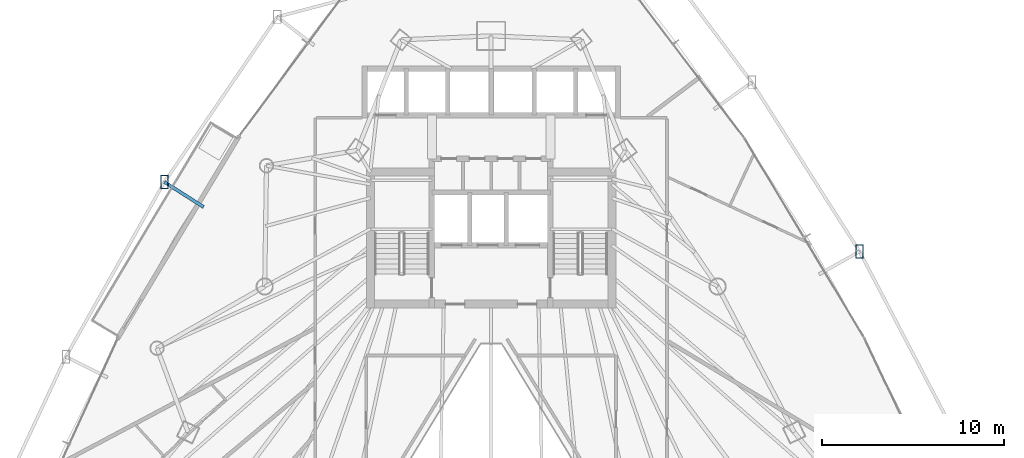
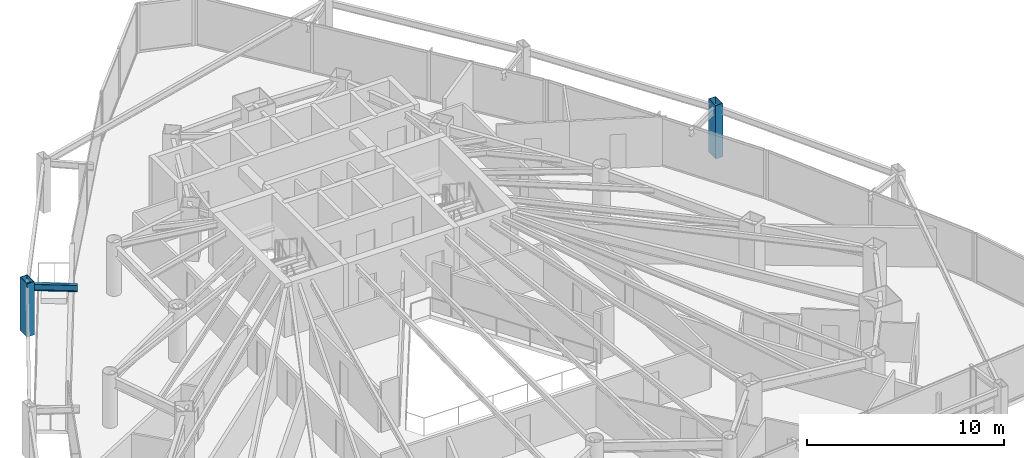
# One storey, part 22 of 38: 2 members, 1 beam.
"""IFC4 building model written with IfcOpenShell, lengths in metres."""

import ifcopenshell
import ifcopenshell.guid

model = None  # the IFC model being written
_history = None  # IfcOwnerHistory: only IFC2X3 demands one
_inside = {}  # id of a spatial element -> (the spatial element, [elements in it])
_under = {}  # id of a project, library or spatial element -> (it, [spatial elements below it])
_declared = {}  # id of a project -> (the project, [libraries it declares])
_typed = {}  # id of a type object -> (the type object, [elements of that type])
_made_of = {}  # id of a material, layer set ... -> (it, [elements and type objects made of it])


def new_model(schema):
    """Start an empty IFC model of exactly this schema.

    Asked for "IFC4X3", IfcOpenShell would pick the latest addendum, in which some entities
    have other attributes; the version numbers below select the first issue.
    IFC2X3 requires an IfcOwnerHistory on every rooted entity: one is made here for all.
    """
    global model, _history
    if schema == "IFC4X3":
        model = ifcopenshell.file(schema_version=(4, 3, 0, 0))
    else:
        model = ifcopenshell.file(schema=schema)
    _inside.clear()
    _under.clear()
    _declared.clear()
    _typed.clear()
    _made_of.clear()
    _history = None
    if model.schema == "IFC2X3":
        org = make("IfcOrganization", Name="unknown")
        user = make(
            "IfcPersonAndOrganization",
            ThePerson=make("IfcPerson", FamilyName="unknown"),
            TheOrganization=org,
        )
        app = make(
            "IfcApplication",
            ApplicationDeveloper=org,
            Version="unknown",
            ApplicationFullName="unknown",
            ApplicationIdentifier="unknown",
        )
        _history = make(
            "IfcOwnerHistory",
            OwningUser=user,
            OwningApplication=app,
            ChangeAction="ADDED",
            CreationDate=0,
        )
    return model


def make(cls, **values):
    """One entity of the class cls with the attributes given. An attribute that is None is left unset."""
    return model.create_entity(
        cls, **{name: value for name, value in values.items() if value is not None}
    )


def rooted(cls, **values):
    """An entity with a GlobalId (a new one), such as an element, a storey or a relation."""
    return make(cls, GlobalId=ifcopenshell.guid.new(), OwnerHistory=_history, **values)


def si_unit(unit_type, name, prefix=None):
    """IfcSIUnit, for example si_unit("LENGTHUNIT", "METRE", prefix="MILLI")."""
    return make("IfcSIUnit", UnitType=unit_type, Prefix=prefix, Name=name)


def assignment(units):
    """IfcUnitAssignment: the units of a project."""
    return None if units is None else make("IfcUnitAssignment", Units=units)


def point(xyz):
    """IfcCartesianPoint."""
    return None if xyz is None else make("IfcCartesianPoint", Coordinates=xyz)


def direction(xyz):
    """IfcDirection."""
    return None if xyz is None else make("IfcDirection", DirectionRatios=xyz)


def frame(location, z_axis=None, x_axis=None):
    """IfcAxis2Placement3D, a coordinate frame: its origin and axes. An axis left out is left unset."""
    return make(
        "IfcAxis2Placement3D",
        Location=point(location),
        Axis=direction(z_axis),
        RefDirection=direction(x_axis),
    )


def frame_2d(location, x_axis=None):
    """IfcAxis2Placement2D, a coordinate frame in the plane: its origin and x axis."""
    return make(
        "IfcAxis2Placement2D", Location=point(location), RefDirection=direction(x_axis)
    )


def origin():
    """The frame at (0, 0, 0) with its axes left unset."""
    return frame((0.0, 0.0, 0.0))


def origin_2d():
    """The frame at (0, 0) in the plane with its x axis left unset."""
    return frame_2d((0.0, 0.0))


def place(relative_to, where):
    """IfcLocalPlacement: puts the frame where relative to a parent placement (None: the world)."""
    return make(
        "IfcLocalPlacement", PlacementRelTo=relative_to, RelativePlacement=where
    )


def context(
    kind, dimensions, precision=None, world=None, true_north=None, identifier=None
):
    """IfcGeometricRepresentationContext, for example the 3D "Model" context."""
    return make(
        "IfcGeometricRepresentationContext",
        ContextIdentifier=identifier,
        ContextType=kind,
        CoordinateSpaceDimension=dimensions,
        Precision=precision,
        WorldCoordinateSystem=world,
        TrueNorth=true_north,
    )


def subcontext(parent, identifier, kind, view, scale=None):
    """IfcGeometricRepresentationSubContext, for example "Body" below "Model"."""
    return make(
        "IfcGeometricRepresentationSubContext",
        ContextIdentifier=identifier,
        ContextType=kind,
        ParentContext=parent,
        TargetScale=scale,
        TargetView=view,
    )


def project(units=None, contexts=None):
    """IfcProject with its units and contexts."""
    return rooted(
        "IfcProject",
        Name="project",
        RepresentationContexts=contexts,
        UnitsInContext=assignment(units),
    )


def spatial(cls, under=None, at=None, **own):
    """A site, building, storey or space (cls), placed at a placement, below another one or the project."""
    s = rooted(cls, ObjectPlacement=at, **own)
    if under is not None:
        _under.setdefault(under.id(), (under, []))[1].append(s)
    return s


def profile(cls, at=None, kind="AREA", **sizes):
    """A parametric profile (cls). Its sizes go by their IFC names, for example OverallWidth=200.0."""
    return make(cls, ProfileType=kind, Position=at, **sizes)


def hollow_rectangle(**sizes):
    """IfcRectangleHollowProfileDef."""
    return profile("IfcRectangleHollowProfileDef", **sizes)


def i_section(**sizes):
    """IfcIShapeProfileDef."""
    return profile("IfcIShapeProfileDef", **sizes)


def extrude(swept, where, along, depth):
    """IfcExtrudedAreaSolid: the profile swept, set in the frame where, extruded along a direction by depth."""
    return make(
        "IfcExtrudedAreaSolid",
        SweptArea=swept,
        Position=where,
        ExtrudedDirection=direction(along),
        Depth=depth,
    )


def shape(context_of_items, identifier, shape_type, items):
    """IfcShapeRepresentation: the items that make up one representation, for example the "Body"."""
    return make(
        "IfcShapeRepresentation",
        ContextOfItems=context_of_items,
        RepresentationIdentifier=identifier,
        RepresentationType=shape_type,
        Items=items,
    )


def material(Name=None, Category=None):
    """IfcMaterial."""
    return make("IfcMaterial", Name=Name, Category=Category)


def material_profile(
    of_material, cross_section, Name=None, Category=None, Priority=None
):
    """IfcMaterialProfile: a cross section and its material."""
    return make(
        "IfcMaterialProfile",
        Name=Name,
        Material=of_material,
        Profile=cross_section,
        Priority=Priority,
        Category=Category,
    )


def profile_set(profiles, Name=None, composite=None):
    """IfcMaterialProfileSet."""
    return make(
        "IfcMaterialProfileSet",
        Name=Name,
        MaterialProfiles=profiles,
        CompositeProfile=composite,
    )


def made_of(thing, what):
    """Note that an element or type object is made of a material, layer set ...; save() writes the relation."""
    if what is not None:
        _made_of.setdefault(what.id(), (what, []))[1].append(thing)
    return thing


def type_object(cls, material=None, **own):
    """A type object (cls), such as IfcWallType, which elements share."""
    return made_of(rooted(cls, **own), material)


def element(
    cls,
    number,
    at=None,
    inside=None,
    cuts=None,
    type_object=None,
    material=None,
    context=None,
    identifier="Body",
    shape_type=None,
    held_by="IfcProductDefinitionShape",
    body=None,
    shapes=None,
    **own,
):
    """One element of the class cls, such as IfcWall. Its Tag is "e" and its number.

    at: its placement. inside: the storey or other place that contains it. cuts: it is an
    opening in that element (IfcRelVoidsElement). A single representation is given by context,
    identifier, shape_type and body (its items); several are given by shapes. held_by: the class
    of the entity that holds the representations. save() writes the other relations.
    """
    e = rooted(cls, Tag="e%d" % number, ObjectPlacement=at, **own)
    if body is not None:
        shapes = [shape(context, identifier, shape_type, body)]
    if shapes is not None:
        e.Representation = make(held_by, Representations=shapes)
    if inside is not None:
        _inside.setdefault(inside.id(), (inside, []))[1].append(e)
    if cuts is not None:
        rooted(
            "IfcRelVoidsElement", RelatingBuildingElement=cuts, RelatedOpeningElement=e
        )
    if type_object is not None:
        _typed.setdefault(type_object.id(), (type_object, []))[1].append(e)
    return made_of(e, material)


def aggregate(whole, parts):
    """IfcRelAggregates: a whole, such as a stair, and the parts it consists of."""
    return rooted("IfcRelAggregates", RelatingObject=whole, RelatedObjects=parts)


def save(model, path):
    """Write the relations noted so far, then the file.

    IfcRelAggregates (storeys below a building ...), IfcRelContainedInSpatialStructure (elements
    in a storey), IfcRelDefinesByType, IfcRelAssociatesMaterial and IfcRelDeclares: one each for
    every whole, place, type object, material and project.
    """
    for whole, parts in _under.values():
        aggregate(whole, parts)
    for where, things in _inside.values():
        rooted(
            "IfcRelContainedInSpatialStructure",
            RelatedElements=things,
            RelatingStructure=where,
        )
    for kind, things in _typed.values():
        rooted("IfcRelDefinesByType", RelatedObjects=things, RelatingType=kind)
    for what, things in _made_of.values():
        rooted("IfcRelAssociatesMaterial", RelatedObjects=things, RelatingMaterial=what)
    for by, libraries in _declared.values():
        rooted("IfcRelDeclares", RelatingContext=by, RelatedDefinitions=libraries)
    model.write(path)


model = new_model("IFC4")

# Units and contexts
model_context = context("Model", 3, precision=1e-05, world=origin(), true_north=direction((0.0, 1.0)))
body_context = subcontext(model_context, "Body", "Model", "MODEL_VIEW")
ifc_project = project(units=[si_unit("LENGTHUNIT", "METRE"), si_unit("AREAUNIT", "SQUARE_METRE"), si_unit("VOLUMEUNIT", "CUBIC_METRE"), si_unit("PLANEANGLEUNIT", "RADIAN"), si_unit("MASSUNIT", "GRAM", prefix="KILO")], contexts=[model_context])

# Site, building, storey
site_placement = place(None, origin())
site = spatial("IfcSite", under=ifc_project, at=site_placement, CompositionType="ELEMENT")
building_placement = place(site_placement, origin())
building = spatial("IfcBuilding", under=site, at=building_placement, Name="Orvanel Arch Residences", CompositionType="ELEMENT")
storey_placement = place(building_placement, frame((0.0, 0.0, 43.39990234375)))
storey = spatial("IfcBuildingStorey", under=building, at=storey_placement, Name="L11", CompositionType="ELEMENT", Elevation=43.39990234375)

# Members
ifc_material_1 = material(Name="Structural steel AS/NZS 3678 Grade 350", Category="steel")
ifc_material_profile_1 = material_profile(ifc_material_1, hollow_rectangle(XDim=0.419921875, YDim=0.719970703125, WallThickness=0.02490234375, at=origin_2d()), Name="RHS720x420x25")
ifc_profile_set_1 = profile_set([ifc_material_profile_1], Name="Structural steel AS/NZS 3678 Grade 350")
member_type = type_object("IfcMemberType", Name="CH-720RHS-EXT", PredefinedType="CHORD", material=ifc_profile_set_1)
for number, where, z_axis, x_axis, name in (
    (1, (15.06591796875, 33.3740234375, 0.0), (0.0, 0.0, 1.0), (1.0, 0.0, 0.0), "L11 Outer Perimeter Frame Post 02"),
    (2, (53.221923828125, 29.55908203125, 0.0), (0.0, 0.0, 1.0), (1.0, 0.0, 0.0), "L11 Outer Perimeter Frame Post 10"),
):
    element("IfcMember", number, at=place(storey_placement, frame(where, z_axis=z_axis, x_axis=x_axis)), inside=storey, type_object=member_type, Name=name, PredefinedType="CHORD", context=body_context, shape_type="SweptSolid", body=[
        extrude(hollow_rectangle(XDim=0.419921875, YDim=0.719970703125, WallThickness=0.02490234375, at=origin_2d()), origin(), (0.0, 0.0, 1.0), 3.300048828125),
    ])

# Beam
ifc_material_2 = material(Name="Structural steel AS/NZS 3679.1 Grade 300 (300 MPa)", Category="steel")
ifc_material_profile_2 = material_profile(ifc_material_2, i_section(OverallWidth=0.177978515625, OverallDepth=0.406005859375, WebThickness=0.0078125, FlangeThickness=0.0126953125, at=origin_2d()), Name="410UB59.7")
ifc_profile_set_2 = profile_set([ifc_material_profile_2], Name="Structural steel AS/NZS 3679.1 Grade 300 (300 MPa)")
beam_type = type_object("IfcBeamType", Name="OB-410UB-EXT", PredefinedType="SPANDREL", material=ifc_profile_set_2)
beam_placement = place(storey_placement, frame((17.216064453125, 32.0029296875, 2.857177734375), z_axis=(-0.843160469914, 0.53766199603, 0.0), x_axis=(-0.53766199603, -0.843160469914, 0.0)))
element("IfcBeam", 3, at=beam_placement, inside=storey, type_object=beam_type, Name="L11 Outer Frame Radial Tie Beam 02", PredefinedType="SPANDREL", context=body_context, shape_type="SweptSolid", body=[
    extrude(i_section(OverallWidth=0.177978515625, OverallDepth=0.406005859375, WebThickness=0.0078125, FlangeThickness=0.0126953125, at=origin_2d()), origin(), (0.0, 0.0, 1.0), 2.550048828125),
])

save(model, "model.ifc")
